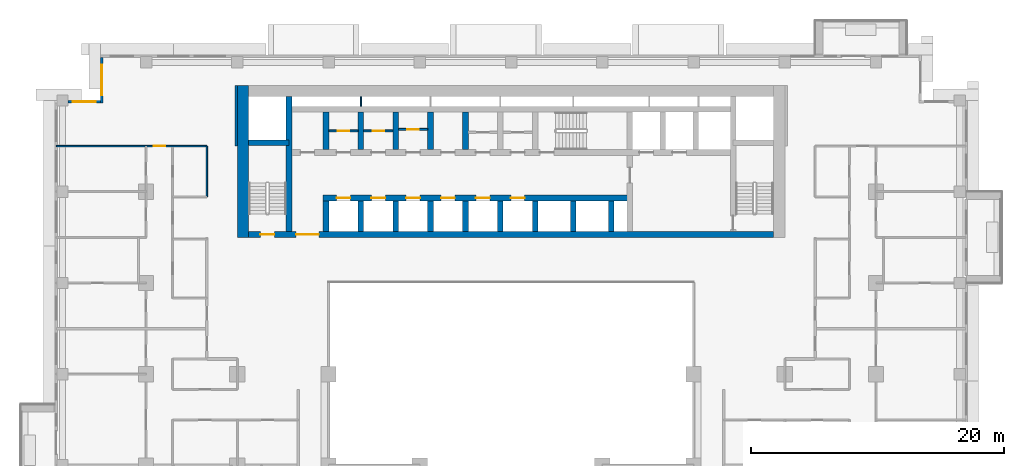
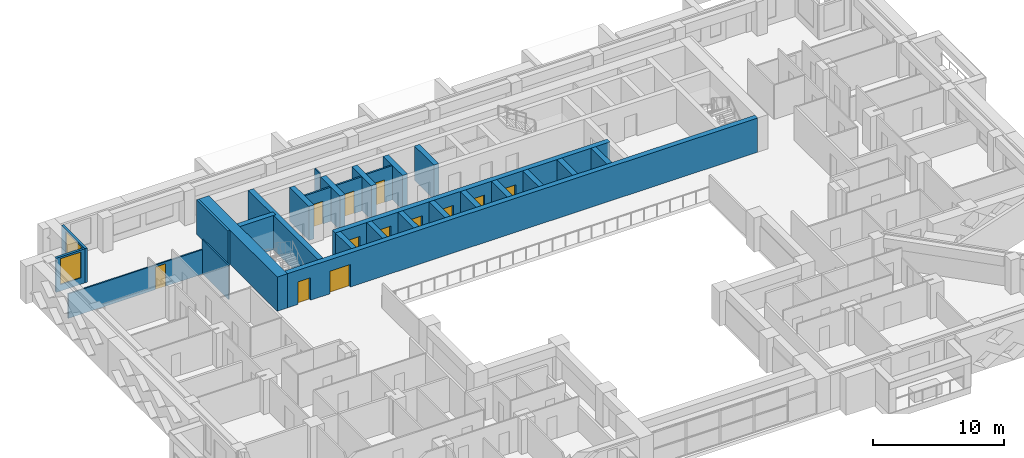
# One storey, part 10 of 17: 28 walls, 12 doors, 2 windows, 14 openings.
"""IFC4 building model written with IfcOpenShell, lengths in metres."""

from ifc_helpers import new_model, si_unit, direction, frame, frame_2d, origin, place, context, subcontext, project, spatial, rectangle, extrude, material, layer, layer_set, type_object, element, fill, save


model = new_model("IFC4")

# Units and contexts
model_context = context("Model", 3, precision=1e-05, world=origin(), true_north=direction((0.0, 1.0)))
body_context = subcontext(model_context, "Body", "Model", "MODEL_VIEW")
ifc_project = project(units=[si_unit("LENGTHUNIT", "METRE"), si_unit("AREAUNIT", "SQUARE_METRE"), si_unit("VOLUMEUNIT", "CUBIC_METRE"), si_unit("PLANEANGLEUNIT", "RADIAN"), si_unit("MASSUNIT", "GRAM", prefix="KILO")], contexts=[model_context])

# Site, building, storey
site_placement = place(None, origin())
site = spatial("IfcSite", under=ifc_project, at=site_placement, CompositionType="ELEMENT")
building_placement = place(site_placement, origin())
building = spatial("IfcBuilding", under=site, at=building_placement, Name="Saffron Iwan Residences", CompositionType="ELEMENT")
storey_placement = place(building_placement, frame((0.0, 0.0, 97.0)))
storey = spatial("IfcBuildingStorey", under=building, at=storey_placement, Name="L25", CompositionType="ELEMENT", Elevation=97.0)

# Wall, opening, door
ifc_material_1 = material(Name="Fire-rated plasterboard partition")
ifc_layer_1 = layer(ifc_material_1, 0.14990234375)
ifc_layer_set_1 = layer_set([ifc_layer_1], Name="Fire-rated plasterboard partition")
wall_type_1 = type_object("IfcWallType", Name="Core partition 150", PredefinedType="PARTITIONING", material=ifc_layer_set_1)
wall_1_placement = place(storey_placement, frame((36.02490234375, 74.39990234375, 0.0), z_axis=(0.0, 0.0, 1.0), x_axis=(1.0, 0.0, 0.0)))
wall_1 = element("IfcWall", 1, at=wall_1_placement, inside=storey, type_object=wall_type_1, Name="Core partition P01", PredefinedType="PARTITIONING", context=body_context, shape_type="SweptSolid", body=[
    extrude(rectangle(XDim=2.300048828125, YDim=0.14990234375, at=frame_2d((1.14990234375, 0.0))), origin(), (0.0, 0.0, 1.0), 3.179931640625),
])
opening_1_placement = place(wall_1_placement, frame((0.699951171875, 0.0, 0.0)))
opening_1 = element("IfcOpeningElement", 2, at=opening_1_placement, cuts=wall_1, Name="Opening SB", PredefinedType="OPENING", context=body_context, shape_type="SweptSolid", body=[
    extrude(rectangle(XDim=0.89990234375, YDim=2.10009765625, at=frame_2d((0.449951171875, 1.050048828125))), frame((0.0, 0.0849609375, 0.0), z_axis=(0.0, -1.0, 0.0), x_axis=(1.0, 0.0, 0.0)), (0.0, 0.0, 1.0), 0.169921875),
])
ifc_material_2 = material(Name="Steel fire door", Category="steel")
door_type_1 = type_object("IfcDoorType", Name="Store door 900", OperationType="NOTDEFINED", PredefinedType="DOOR", material=ifc_material_2)
door_1_placement = place(opening_1_placement, origin())
door_1 = element("IfcDoor", 3, at=door_1_placement, inside=storey, type_object=door_type_1, Name="Door Spares store", OperationType="SINGLE_SWING_LEFT", OverallHeight=2.10009765625, OverallWidth=0.89990234375, PredefinedType="DOOR", context=body_context, shape_type="SweptSolid", body=[
    extrude(rectangle(XDim=0.89990234375, YDim=2.10009765625, at=frame_2d((0.449951171875, 1.050048828125))), frame((0.0, 0.02490234375, 0.0), z_axis=(0.0, -1.0, 0.0), x_axis=(1.0, 0.0, 0.0)), (0.0, 0.0, 1.0), 0.050048828125),
])
fill(opening_1, door_1)

wall_2_placement = place(storey_placement, frame((38.77490234375, 74.39990234375, 0.0), z_axis=(0.0, 0.0, 1.0), x_axis=(1.0, 0.0, 0.0)))
wall_2 = element("IfcWall", 4, at=wall_2_placement, inside=storey, type_object=wall_type_1, Name="Core partition P02", PredefinedType="PARTITIONING", context=body_context, shape_type="SweptSolid", body=[
    extrude(rectangle(XDim=2.300048828125, YDim=0.14990234375, at=frame_2d((1.14990234375, 0.0))), origin(), (0.0, 0.0, 1.0), 3.179931640625),
])
opening_2_placement = place(wall_2_placement, frame((0.699951171875, 0.0, 0.0)))
opening_2 = element("IfcOpeningElement", 5, at=opening_2_placement, cuts=wall_2, Name="Opening SB", PredefinedType="OPENING", context=body_context, shape_type="SweptSolid", body=[
    extrude(rectangle(XDim=0.89990234375, YDim=2.10009765625, at=frame_2d((0.449951171875, 1.050048828125))), frame((0.0, 0.0849609375, 0.0), z_axis=(0.0, -1.0, 0.0), x_axis=(1.0, 0.0, 0.0)), (0.0, 0.0, 1.0), 0.169921875),
])
door_2_placement = place(opening_2_placement, origin())
door_2 = element("IfcDoor", 6, at=door_2_placement, inside=storey, type_object=door_type_1, Name="Door Battery room", OperationType="SINGLE_SWING_RIGHT", OverallHeight=2.10009765625, OverallWidth=0.89990234375, PredefinedType="DOOR", context=body_context, shape_type="SweptSolid", body=[
    extrude(rectangle(XDim=0.89990234375, YDim=2.10009765625, at=frame_2d((0.449951171875, 1.050048828125))), frame((0.0, 0.02490234375, 0.0), z_axis=(0.0, -1.0, 0.0), x_axis=(1.0, 0.0, 0.0)), (0.0, 0.0, 1.0), 0.050048828125),
])
fill(opening_2, door_2)

wall_3_placement = place(storey_placement, frame((41.52490234375, 74.51806640625, 0.0), z_axis=(0.0, 0.0, 1.0), x_axis=(1.0, 0.0, 0.0)))
wall_3 = element("IfcWall", 7, at=wall_3_placement, inside=storey, type_object=wall_type_1, Name="Core partition P03", PredefinedType="PARTITIONING", context=body_context, shape_type="SweptSolid", body=[
    extrude(rectangle(XDim=2.300048828125, YDim=0.14990234375, at=frame_2d((1.14990234375, 0.0))), origin(), (0.0, 0.0, 1.0), 3.179931640625),
])
opening_3_placement = place(wall_3_placement, frame((0.699951171875, 0.0, 0.0)))
opening_3 = element("IfcOpeningElement", 8, at=opening_3_placement, cuts=wall_3, Name="Opening SB", PredefinedType="OPENING", context=body_context, shape_type="SweptSolid", body=[
    extrude(rectangle(XDim=0.89990234375, YDim=2.10009765625, at=frame_2d((0.449951171875, 1.050048828125))), frame((0.0, 0.0849609375, 0.0), z_axis=(0.0, -1.0, 0.0), x_axis=(1.0, 0.0, 0.0)), (0.0, 0.0, 1.0), 0.169921875),
])
door_3_placement = place(opening_3_placement, origin())
door_3 = element("IfcDoor", 9, at=door_3_placement, inside=storey, type_object=door_type_1, Name="Door Records store", OperationType="SINGLE_SWING_RIGHT", OverallHeight=2.10009765625, OverallWidth=0.89990234375, PredefinedType="DOOR", context=body_context, shape_type="SweptSolid", body=[
    extrude(rectangle(XDim=0.89990234375, YDim=2.10009765625, at=frame_2d((0.449951171875, 1.050048828125))), frame((0.0, 0.02490234375, 0.0), z_axis=(0.0, -1.0, 0.0), x_axis=(1.0, 0.0, 0.0)), (0.0, 0.0, 1.0), 0.050048828125),
])
fill(opening_3, door_3)

# Wall, opening, window
ifc_material_3 = material(Name="Concrete C40/50", Category="concrete")
ifc_layer_2 = layer(ifc_material_3, 0.199951171875)
ifc_layer_set_2 = layer_set([ifc_layer_2], Name="Concrete C40/50")
wall_type_2 = type_object("IfcWallType", Name="EXTERNAL WALL 200", PredefinedType="SOLIDWALL", material=ifc_layer_set_2)
wall_4_placement = place(storey_placement, frame((18.10009765625, 80.199951171875, 0.0), z_axis=(0.0, 0.0, 1.0), x_axis=(0.0, -1.0, 0.0)))
wall_4 = element("IfcWall", 10, at=wall_4_placement, inside=storey, type_object=wall_type_2, Name="External wall L25 F6.0", PredefinedType="SOLIDWALL", context=body_context, shape_type="SweptSolid", body=[
    extrude(rectangle(XDim=3.599853515625, YDim=0.199951171875, at=frame_2d((1.7998046875, 0.0))), origin(), (0.0, 0.0, 1.0), 3.179931640625),
])
opening_4_placement = place(wall_4_placement, frame((0.60009765625, 0.0, 0.60009765625)))
opening_4 = element("IfcOpeningElement", 11, at=opening_4_placement, cuts=wall_4, Name="Opening W1", PredefinedType="OPENING", context=body_context, shape_type="SweptSolid", body=[
    extrude(rectangle(XDim=2.39990234375, YDim=2.39990234375, at=frame_2d((1.199951171875, 1.199951171875))), frame((0.0, 0.10986328125, 0.0), z_axis=(0.0, -1.0, 0.0), x_axis=(1.0, 0.0, 0.0)), (0.0, 0.0, 1.0), 0.219970703125),
])
ifc_material_4 = material(Name="Clear glass, laminated double glazed", Category="glass")
window_type_1 = type_object("IfcWindowType", Name="WINDOW 2400 x 2400", PartitioningType="DOUBLE_PANEL_VERTICAL", PredefinedType="WINDOW", material=ifc_material_4)
window_1_placement = place(opening_4_placement, origin())
window_1 = element("IfcWindow", 12, at=window_1_placement, inside=storey, type_object=window_type_1, Name="Window L25 F6.0", OverallHeight=2.39990234375, OverallWidth=2.39990234375, PartitioningType="DOUBLE_PANEL_VERTICAL", PredefinedType="WINDOW", context=body_context, shape_type="SweptSolid", body=[
    extrude(rectangle(XDim=2.39990234375, YDim=2.39990234375, at=frame_2d((1.199951171875, 1.199951171875))), frame((0.0, 0.030029296875, 0.0), z_axis=(0.0, -1.0, 0.0), x_axis=(1.0, 0.0, 0.0)), (0.0, 0.0, 1.0), 0.06005859375),
])
fill(opening_4, window_1)

wall_5_placement = place(storey_placement, frame((18.0, 76.699951171875, 0.0), z_axis=(0.0, 0.0, 1.0), x_axis=(-1.0, 0.0, 0.0)))
wall_5 = element("IfcWall", 13, at=wall_5_placement, inside=storey, type_object=wall_type_2, Name="External wall L25 F7.0", PredefinedType="SOLIDWALL", context=body_context, shape_type="SweptSolid", body=[
    extrude(rectangle(XDim=2.550048828125, YDim=0.199951171875, at=frame_2d((1.27490234375, 0.0))), origin(), (0.0, 0.0, 1.0), 3.179931640625),
])
opening_5_placement = place(wall_5_placement, frame((0.375, 0.0, 0.60009765625)))
opening_5 = element("IfcOpeningElement", 14, at=opening_5_placement, cuts=wall_5, Name="Opening W8", PredefinedType="OPENING", context=body_context, shape_type="SweptSolid", body=[
    extrude(rectangle(XDim=1.800048828125, YDim=2.39990234375, at=frame_2d((0.89990234375, 1.199951171875))), frame((0.0, 0.10986328125, 0.0), z_axis=(0.0, -1.0, 0.0), x_axis=(1.0, 0.0, 0.0)), (0.0, 0.0, 1.0), 0.219970703125),
])
window_type_2 = type_object("IfcWindowType", Name="WINDOW 1800 x 2400", PartitioningType="DOUBLE_PANEL_VERTICAL", PredefinedType="WINDOW", material=ifc_material_4)
window_2_placement = place(opening_5_placement, origin())
window_2 = element("IfcWindow", 15, at=window_2_placement, inside=storey, type_object=window_type_2, Name="Window L25 F7.0", OverallHeight=2.39990234375, OverallWidth=1.800048828125, PartitioningType="DOUBLE_PANEL_VERTICAL", PredefinedType="WINDOW", context=body_context, shape_type="SweptSolid", body=[
    extrude(rectangle(XDim=1.800048828125, YDim=2.39990234375, at=frame_2d((0.89990234375, 1.199951171875))), frame((0.0, 0.030029296875, 0.0), z_axis=(0.0, -1.0, 0.0), x_axis=(1.0, 0.0, 0.0)), (0.0, 0.0, 1.0), 0.06005859375),
])
fill(opening_5, window_2)

# Wall, opening, door
ifc_material_5 = material(Name="Gypsum board partition")
ifc_layer_3 = layer(ifc_material_5, 0.1201171875)
ifc_layer_set_3 = layer_set([ifc_layer_3], Name="Gypsum board partition")
wall_type_3 = type_object("IfcWallType", Name="Flat partition 120", PredefinedType="PARTITIONING", material=ifc_layer_set_3)
wall_6_placement = place(storey_placement, frame((14.52490234375, 73.199951171875, 0.0), z_axis=(0.0, 0.0, 1.0), x_axis=(1.0, 0.0, 0.0)))
wall_6 = element("IfcWall", 16, at=wall_6_placement, inside=storey, type_object=wall_type_3, Name="W-L25-PART-h73.2-14.525", PredefinedType="PARTITIONING", context=body_context, shape_type="SweptSolid", body=[
    extrude(rectangle(XDim=11.875, YDim=0.1201171875, at=frame_2d((5.9375, 0.0))), origin(), (0.0, 0.0, 1.0), 2.280029296875),
])
opening_6_placement = place(wall_6_placement, frame((7.675048828125, 0.0, 0.0)))
opening_6 = element("IfcOpeningElement", 17, at=opening_6_placement, cuts=wall_6, Name="Opening FD2", PredefinedType="OPENING", context=body_context, shape_type="SweptSolid", body=[
    extrude(rectangle(XDim=0.89990234375, YDim=2.10009765625, at=frame_2d((0.449951171875, 1.050048828125))), frame((0.0, 0.070068359375, 0.0), z_axis=(0.0, -1.0, 0.0), x_axis=(1.0, 0.0, 0.0)), (0.0, 0.0, 1.0), 0.14013671875),
])
ifc_material_6 = material(Name="Timber door", Category="wood")
door_type_2 = type_object("IfcDoorType", Name="Flat door 900", OperationType="NOTDEFINED", PredefinedType="DOOR", material=ifc_material_6)
door_4_placement = place(opening_6_placement, origin())
door_4 = element("IfcDoor", 18, at=door_4_placement, inside=storey, type_object=door_type_2, Name="Door L25-031", OperationType="SINGLE_SWING_LEFT", OverallHeight=2.10009765625, OverallWidth=0.89990234375, PredefinedType="DOOR", context=body_context, shape_type="SweptSolid", body=[
    extrude(rectangle(XDim=0.89990234375, YDim=2.10009765625, at=frame_2d((0.449951171875, 1.050048828125))), frame((0.0, 0.02490234375, 0.0), z_axis=(0.0, -1.0, 0.0), x_axis=(1.0, 0.0, 0.0)), (0.0, 0.0, 1.0), 0.050048828125),
])
fill(opening_6, door_4)

# Walls
wall_7_placement = place(storey_placement, frame((26.39990234375, 69.199951171875, 0.0), z_axis=(0.0, 0.0, 1.0), x_axis=(0.0, 1.0, 0.0)))
element("IfcWall", 19, at=wall_7_placement, inside=storey, type_object=wall_type_3, Name="W-L25-PART-v26.4-69.2", PredefinedType="PARTITIONING", context=body_context, shape_type="SweptSolid", body=[
    extrude(rectangle(XDim=4.0, YDim=0.1201171875, at=frame_2d((2.0, 0.0))), origin(), (0.0, 0.0, 1.0), 3.179931640625),
])
ifc_material_7 = material(Name="Fire-rated gypsum board wall")
ifc_layer_4 = layer(ifc_material_7, 0.199951171875)
ifc_layer_set_4 = layer_set([ifc_layer_4], Name="Fire-rated gypsum board wall")
wall_type_4 = type_object("IfcWallType", Name="Gallery wall 200", PredefinedType="SOLIDWALL", material=ifc_layer_set_4)
wall_8_placement = place(storey_placement, frame((28.699951171875, 73.199951171875, 0.0), z_axis=(0.0, 0.0, 1.0), x_axis=(0.0, 1.0, 0.0)))
element("IfcWall", 20, at=wall_8_placement, inside=storey, type_object=wall_type_4, Name="W-L25-CORR-v28.8-73.2", PredefinedType="SOLIDWALL", context=body_context, shape_type="SweptSolid", body=[
    extrude(rectangle(XDim=4.800048828125, YDim=0.199951171875, at=frame_2d((2.39990234375, 0.0))), origin(), (0.0, 0.0, 1.0), 3.179931640625),
])
ifc_layer_5 = layer(ifc_material_1, 0.10009765625)
ifc_layer_set_5 = layer_set([ifc_layer_5], Name="Fire-rated plasterboard partition")
wall_type_5 = type_object("IfcWallType", Name="Riser partition 100", PredefinedType="PARTITIONING", material=ifc_layer_set_5)
wall_9_placement = place(storey_placement, frame((38.550048828125, 76.324951171875, 0.0), z_axis=(0.0, 0.0, 1.0), x_axis=(0.0, 1.0, 0.0)))
element("IfcWall", 21, at=wall_9_placement, inside=storey, type_object=wall_type_5, Name="Core partition P06", PredefinedType="PARTITIONING", context=body_context, shape_type="SweptSolid", body=[
    extrude(rectangle(XDim=0.775146484375, YDim=0.10009765625, at=frame_2d((0.3876953125, 0.0))), origin(), (0.0, 0.0, 1.0), 3.179931640625),
])

# Wall, openings, doors
ifc_material_8 = material(Name="Concrete C60/75", Category="concrete")
ifc_layer_6 = layer(ifc_material_8, 0.449951171875)
ifc_layer_set_6 = layer_set([ifc_layer_6], Name="Concrete C60/75")
wall_type_6 = type_object("IfcWallType", Name="WALL CORE 450 C60/75 3180 HIGH", PredefinedType="SHEAR", material=ifc_layer_set_6)
wall_10_placement = place(storey_placement, frame((29.699951171875, 66.22509765625, 0.0), z_axis=(0.0, 0.0, 1.0), x_axis=(1.0, 0.0, 0.0)))
wall_10 = element("IfcWall", 22, at=wall_10_placement, inside=storey, type_object=wall_type_6, Name="Core wall", PredefinedType="SHEAR", context=body_context, shape_type="SweptSolid", body=[
    extrude(rectangle(XDim=41.400146484375, YDim=0.449951171875, at=frame_2d((20.7001953125, 0.0))), origin(), (0.0, 0.0, 1.0), 3.179931640625),
])
opening_7_placement = place(wall_10_placement, frame((0.925048828125, 0.0, 0.0)))
opening_7 = element("IfcOpeningElement", 23, at=opening_7_placement, cuts=wall_10, Name="Opening SD", PredefinedType="OPENING", context=body_context, shape_type="SweptSolid", body=[
    extrude(rectangle(XDim=1.10009765625, YDim=2.10009765625, at=frame_2d((0.550048828125, 1.050048828125))), frame((0.0, 0.23486328125, 0.0), z_axis=(0.0, -1.0, 0.0), x_axis=(1.0, 0.0, 0.0)), (0.0, 0.0, 1.0), 0.469970703125),
])
opening_8_placement = place(wall_10_placement, frame((3.737548828125, 0.0, 0.0)))
opening_8 = element("IfcOpeningElement", 24, at=opening_8_placement, cuts=wall_10, Name="Opening DD", PredefinedType="OPENING", context=body_context, shape_type="SweptSolid", body=[
    extrude(rectangle(XDim=1.800048828125, YDim=2.10009765625, at=frame_2d((0.89990234375, 1.050048828125))), frame((0.0, 0.23486328125, 0.0), z_axis=(0.0, -1.0, 0.0), x_axis=(1.0, 0.0, 0.0)), (0.0, 0.0, 1.0), 0.469970703125),
])
door_type_3 = type_object("IfcDoorType", Name="Lobby double door 1800", OperationType="DOUBLE_DOOR_SINGLE_SWING", PredefinedType="DOOR", material=ifc_material_2)
door_5_placement = place(opening_8_placement, origin())
door_5 = element("IfcDoor", 25, at=door_5_placement, inside=storey, type_object=door_type_3, Name="Lobby doors", OperationType="DOUBLE_DOOR_SINGLE_SWING", OverallHeight=2.10009765625, OverallWidth=1.800048828125, PredefinedType="DOOR", context=body_context, shape_type="SweptSolid", body=[
    extrude(rectangle(XDim=1.800048828125, YDim=2.10009765625, at=frame_2d((0.89990234375, 1.050048828125))), frame((0.0, 0.02490234375, 0.0), z_axis=(0.0, -1.0, 0.0), x_axis=(1.0, 0.0, 0.0)), (0.0, 0.0, 1.0), 0.050048828125),
])
fill(opening_8, door_5)
door_type_4 = type_object("IfcDoorType", Name="Stair door 1100", OperationType="NOTDEFINED", PredefinedType="DOOR", material=ifc_material_2)
door_6_placement = place(opening_7_placement, origin())
door_6 = element("IfcDoor", 26, at=door_6_placement, inside=storey, type_object=door_type_4, Name="Stair door ST-W", OperationType="SINGLE_SWING_LEFT", OverallHeight=2.10009765625, OverallWidth=1.10009765625, PredefinedType="DOOR", context=body_context, shape_type="SweptSolid", body=[
    extrude(rectangle(XDim=1.10009765625, YDim=2.10009765625, at=frame_2d((0.550048828125, 1.050048828125))), frame((0.0, 0.02490234375, 0.0), z_axis=(0.0, -1.0, 0.0), x_axis=(1.0, 0.0, 0.0)), (0.0, 0.0, 1.0), 0.050048828125),
])
fill(opening_7, door_6)

wall_11_placement = place(storey_placement, frame((35.574951171875, 69.10009765625, 0.0), z_axis=(0.0, 0.0, 1.0), x_axis=(1.0, 0.0, 0.0)))
wall_11 = element("IfcWall", 27, at=wall_11_placement, inside=storey, type_object=wall_type_6, Name="Core wall", PredefinedType="SHEAR", context=body_context, shape_type="SweptSolid", body=[
    extrude(rectangle(XDim=24.199951171875, YDim=0.449951171875, at=frame_2d((12.10009765625, 0.0))), origin(), (0.0, 0.0, 1.0), 3.179931640625),
])
opening_9_placement = place(wall_11_placement, frame((1.050048828125, 0.0, 0.0)))
opening_9 = element("IfcOpeningElement", 28, at=opening_9_placement, cuts=wall_11, Name="Opening LD", PredefinedType="OPENING", context=body_context, shape_type="SweptSolid", body=[
    extrude(rectangle(XDim=1.10009765625, YDim=2.10009765625, at=frame_2d((0.550048828125, 1.050048828125))), frame((0.0, 0.23486328125, 0.0), z_axis=(0.0, -1.0, 0.0), x_axis=(1.0, 0.0, 0.0)), (0.0, 0.0, 1.0), 0.469970703125),
])
opening_10_placement = place(wall_11_placement, frame((3.800048828125, 0.0, 0.0)))
opening_10 = element("IfcOpeningElement", 29, at=opening_10_placement, cuts=wall_11, Name="Opening LD", PredefinedType="OPENING", context=body_context, shape_type="SweptSolid", body=[
    extrude(rectangle(XDim=1.10009765625, YDim=2.10009765625, at=frame_2d((0.550048828125, 1.050048828125))), frame((0.0, 0.23486328125, 0.0), z_axis=(0.0, -1.0, 0.0), x_axis=(1.0, 0.0, 0.0)), (0.0, 0.0, 1.0), 0.469970703125),
])
opening_11_placement = place(wall_11_placement, frame((6.550048828125, 0.0, 0.0)))
opening_11 = element("IfcOpeningElement", 30, at=opening_11_placement, cuts=wall_11, Name="Opening LD", PredefinedType="OPENING", context=body_context, shape_type="SweptSolid", body=[
    extrude(rectangle(XDim=1.10009765625, YDim=2.10009765625, at=frame_2d((0.550048828125, 1.050048828125))), frame((0.0, 0.23486328125, 0.0), z_axis=(0.0, -1.0, 0.0), x_axis=(1.0, 0.0, 0.0)), (0.0, 0.0, 1.0), 0.469970703125),
])
opening_12_placement = place(wall_11_placement, frame((9.300048828125, 0.0, 0.0)))
opening_12 = element("IfcOpeningElement", 31, at=opening_12_placement, cuts=wall_11, Name="Opening LD", PredefinedType="OPENING", context=body_context, shape_type="SweptSolid", body=[
    extrude(rectangle(XDim=1.10009765625, YDim=2.10009765625, at=frame_2d((0.550048828125, 1.050048828125))), frame((0.0, 0.23486328125, 0.0), z_axis=(0.0, -1.0, 0.0), x_axis=(1.0, 0.0, 0.0)), (0.0, 0.0, 1.0), 0.469970703125),
])
opening_13_placement = place(wall_11_placement, frame((12.050048828125, 0.0, 0.0)))
opening_13 = element("IfcOpeningElement", 32, at=opening_13_placement, cuts=wall_11, Name="Opening LD", PredefinedType="OPENING", context=body_context, shape_type="SweptSolid", body=[
    extrude(rectangle(XDim=1.10009765625, YDim=2.10009765625, at=frame_2d((0.550048828125, 1.050048828125))), frame((0.0, 0.23486328125, 0.0), z_axis=(0.0, -1.0, 0.0), x_axis=(1.0, 0.0, 0.0)), (0.0, 0.0, 1.0), 0.469970703125),
])
opening_14_placement = place(wall_11_placement, frame((14.800048828125, 0.0, 0.0)))
opening_14 = element("IfcOpeningElement", 33, at=opening_14_placement, cuts=wall_11, Name="Opening LD", PredefinedType="OPENING", context=body_context, shape_type="SweptSolid", body=[
    extrude(rectangle(XDim=1.10009765625, YDim=2.10009765625, at=frame_2d((0.550048828125, 1.050048828125))), frame((0.0, 0.23486328125, 0.0), z_axis=(0.0, -1.0, 0.0), x_axis=(1.0, 0.0, 0.0)), (0.0, 0.0, 1.0), 0.469970703125),
])
door_type_5 = type_object("IfcDoorType", Name="Lift landing door 1100", OperationType="SLIDING_TO_LEFT", PredefinedType="DOOR", material=ifc_material_2)
door_7_placement = place(opening_9_placement, origin())
door_7 = element("IfcDoor", 34, at=door_7_placement, inside=storey, type_object=door_type_5, Name="Landing doors LR1", OperationType="SLIDING_TO_LEFT", OverallHeight=2.10009765625, OverallWidth=1.10009765625, PredefinedType="DOOR", context=body_context, shape_type="SweptSolid", body=[
    extrude(rectangle(XDim=1.10009765625, YDim=2.10009765625, at=frame_2d((0.550048828125, 1.050048828125))), frame((0.0, 0.02490234375, 0.0), z_axis=(0.0, -1.0, 0.0), x_axis=(1.0, 0.0, 0.0)), (0.0, 0.0, 1.0), 0.050048828125),
])
fill(opening_9, door_7)
door_8_placement = place(opening_10_placement, origin())
door_8 = element("IfcDoor", 35, at=door_8_placement, inside=storey, type_object=door_type_5, Name="Landing doors LR2", OperationType="SLIDING_TO_LEFT", OverallHeight=2.10009765625, OverallWidth=1.10009765625, PredefinedType="DOOR", context=body_context, shape_type="SweptSolid", body=[
    extrude(rectangle(XDim=1.10009765625, YDim=2.10009765625, at=frame_2d((0.550048828125, 1.050048828125))), frame((0.0, 0.02490234375, 0.0), z_axis=(0.0, -1.0, 0.0), x_axis=(1.0, 0.0, 0.0)), (0.0, 0.0, 1.0), 0.050048828125),
])
fill(opening_10, door_8)
door_9_placement = place(opening_11_placement, origin())
door_9 = element("IfcDoor", 36, at=door_9_placement, inside=storey, type_object=door_type_5, Name="Landing doors LR3", OperationType="SLIDING_TO_LEFT", OverallHeight=2.10009765625, OverallWidth=1.10009765625, PredefinedType="DOOR", context=body_context, shape_type="SweptSolid", body=[
    extrude(rectangle(XDim=1.10009765625, YDim=2.10009765625, at=frame_2d((0.550048828125, 1.050048828125))), frame((0.0, 0.02490234375, 0.0), z_axis=(0.0, -1.0, 0.0), x_axis=(1.0, 0.0, 0.0)), (0.0, 0.0, 1.0), 0.050048828125),
])
fill(opening_11, door_9)
door_10_placement = place(opening_12_placement, origin())
door_10 = element("IfcDoor", 37, at=door_10_placement, inside=storey, type_object=door_type_5, Name="Landing doors LR4", OperationType="SLIDING_TO_LEFT", OverallHeight=2.10009765625, OverallWidth=1.10009765625, PredefinedType="DOOR", context=body_context, shape_type="SweptSolid", body=[
    extrude(rectangle(XDim=1.10009765625, YDim=2.10009765625, at=frame_2d((0.550048828125, 1.050048828125))), frame((0.0, 0.02490234375, 0.0), z_axis=(0.0, -1.0, 0.0), x_axis=(1.0, 0.0, 0.0)), (0.0, 0.0, 1.0), 0.050048828125),
])
fill(opening_12, door_10)
door_11_placement = place(opening_13_placement, origin())
door_11 = element("IfcDoor", 38, at=door_11_placement, inside=storey, type_object=door_type_5, Name="Landing doors LR5", OperationType="SLIDING_TO_LEFT", OverallHeight=2.10009765625, OverallWidth=1.10009765625, PredefinedType="DOOR", context=body_context, shape_type="SweptSolid", body=[
    extrude(rectangle(XDim=1.10009765625, YDim=2.10009765625, at=frame_2d((0.550048828125, 1.050048828125))), frame((0.0, 0.02490234375, 0.0), z_axis=(0.0, -1.0, 0.0), x_axis=(1.0, 0.0, 0.0)), (0.0, 0.0, 1.0), 0.050048828125),
])
fill(opening_13, door_11)
door_12_placement = place(opening_14_placement, origin())
door_12 = element("IfcDoor", 39, at=door_12_placement, inside=storey, type_object=door_type_5, Name="Landing doors LR6", OperationType="SLIDING_TO_LEFT", OverallHeight=2.10009765625, OverallWidth=1.10009765625, PredefinedType="DOOR", context=body_context, shape_type="SweptSolid", body=[
    extrude(rectangle(XDim=1.10009765625, YDim=2.10009765625, at=frame_2d((0.550048828125, 1.050048828125))), frame((0.0, 0.02490234375, 0.0), z_axis=(0.0, -1.0, 0.0), x_axis=(1.0, 0.0, 0.0)), (0.0, 0.0, 1.0), 0.050048828125),
])
fill(opening_14, door_12)

# Walls
wall_12_placement = place(storey_placement, frame((29.699951171875, 73.47509765625, 0.0), z_axis=(0.0, 0.0, 1.0), x_axis=(1.0, 0.0, 0.0)))
element("IfcWall", 40, at=wall_12_placement, inside=storey, type_object=wall_type_6, Name="Core wall", PredefinedType="SHEAR", context=body_context, shape_type="SweptSolid", body=[
    extrude(rectangle(XDim=3.175048828125, YDim=0.449951171875, at=frame_2d((1.58740234375, 0.0))), origin(), (0.0, 0.0, 1.0), 3.179931640625),
])
wall_13_placement = place(storey_placement, frame((32.875, 66.449951171875, 0.0), z_axis=(0.0, 0.0, 1.0), x_axis=(0.0, 1.0, 0.0)))
element("IfcWall", 41, at=wall_13_placement, inside=storey, type_object=wall_type_6, Name="Core wall", PredefinedType="SHEAR", context=body_context, shape_type="SweptSolid", body=[
    extrude(rectangle(XDim=10.650146484375, YDim=0.449951171875, at=frame_2d((5.3251953125, 0.0))), origin(), (0.0, 0.0, 1.0), 3.179931640625),
])
for number, where, z_axis, x_axis, name in (
    (42, (35.800048828125, 66.449951171875, 0.0), (0.0, 0.0, 1.0), (0.0, 1.0, 0.0), "Core wall"),
    (43, (38.550048828125, 66.449951171875, 0.0), (0.0, 0.0, 1.0), (0.0, 1.0, 0.0), "Core wall"),
    (44, (41.300048828125, 66.449951171875, 0.0), (0.0, 0.0, 1.0), (0.0, 1.0, 0.0), "Core wall"),
    (45, (44.050048828125, 66.449951171875, 0.0), (0.0, 0.0, 1.0), (0.0, 1.0, 0.0), "Core wall"),
    (46, (46.800048828125, 66.449951171875, 0.0), (0.0, 0.0, 1.0), (0.0, 1.0, 0.0), "Core wall"),
    (47, (49.550048828125, 66.449951171875, 0.0), (0.0, 0.0, 1.0), (0.0, 1.0, 0.0), "Core wall"),
    (48, (52.300048828125, 66.449951171875, 0.0), (0.0, 0.0, 1.0), (0.0, 1.0, 0.0), "Core wall"),
    (49, (55.300048828125, 66.449951171875, 0.0), (0.0, 0.0, 1.0), (0.0, 1.0, 0.0), "Core wall"),
    (50, (58.300048828125, 66.449951171875, 0.0), (0.0, 0.0, 1.0), (0.0, 1.0, 0.0), "Core wall"),
):
    element("IfcWall", number, at=place(storey_placement, frame(where, z_axis=z_axis, x_axis=x_axis)), inside=storey, type_object=wall_type_6, Name=name, PredefinedType="SHEAR", context=body_context, shape_type="SweptSolid", body=[
        extrude(rectangle(XDim=2.425048828125, YDim=0.449951171875, at=frame_2d((1.21240234375, 0.0))), origin(), (0.0, 0.0, 1.0), 3.179931640625),
    ])
for number, where, z_axis, x_axis, name in (
    (51, (35.800048828125, 72.925048828125, 0.0), (0.0, 0.0, 1.0), (0.0, 1.0, 0.0), "Core wall"),
    (52, (38.550048828125, 72.925048828125, 0.0), (0.0, 0.0, 1.0), (0.0, 1.0, 0.0), "Core wall"),
    (53, (41.300048828125, 72.925048828125, 0.0), (0.0, 0.0, 1.0), (0.0, 1.0, 0.0), "Core wall"),
    (54, (44.050048828125, 72.925048828125, 0.0), (0.0, 0.0, 1.0), (0.0, 1.0, 0.0), "Core wall"),
    (55, (46.800048828125, 72.925048828125, 0.0), (0.0, 0.0, 1.0), (0.0, 1.0, 0.0), "Core wall"),
):
    element("IfcWall", number, at=place(storey_placement, frame(where, z_axis=z_axis, x_axis=x_axis)), inside=storey, type_object=wall_type_6, Name=name, PredefinedType="SHEAR", context=body_context, shape_type="SweptSolid", body=[
        extrude(rectangle(XDim=2.949951171875, YDim=0.449951171875, at=frame_2d((1.47509765625, 0.0))), origin(), (0.0, 0.0, 1.0), 3.179931640625),
    ])
ifc_layer_7 = layer(ifc_material_8, 0.89990234375)
ifc_layer_set_7 = layer_set([ifc_layer_7], Name="Concrete C60/75")
wall_type_7 = type_object("IfcWallType", Name="WALL CORE 900 C60/75 3180 HIGH", PredefinedType="SHEAR", material=ifc_layer_set_7)
wall_14_placement = place(storey_placement, frame((29.25, 66.0, 0.0), z_axis=(0.0, 0.0, 1.0), x_axis=(0.0, 1.0, 0.0)))
element("IfcWall", 56, at=wall_14_placement, inside=storey, type_object=wall_type_7, Name="Core wall", PredefinedType="SHEAR", context=body_context, shape_type="SweptSolid", body=[
    extrude(rectangle(XDim=12.0, YDim=0.89990234375, at=frame_2d((6.0, 0.0))), origin(), (0.0, 0.0, 1.0), 3.179931640625),
])

save(model, "model.ifc")
